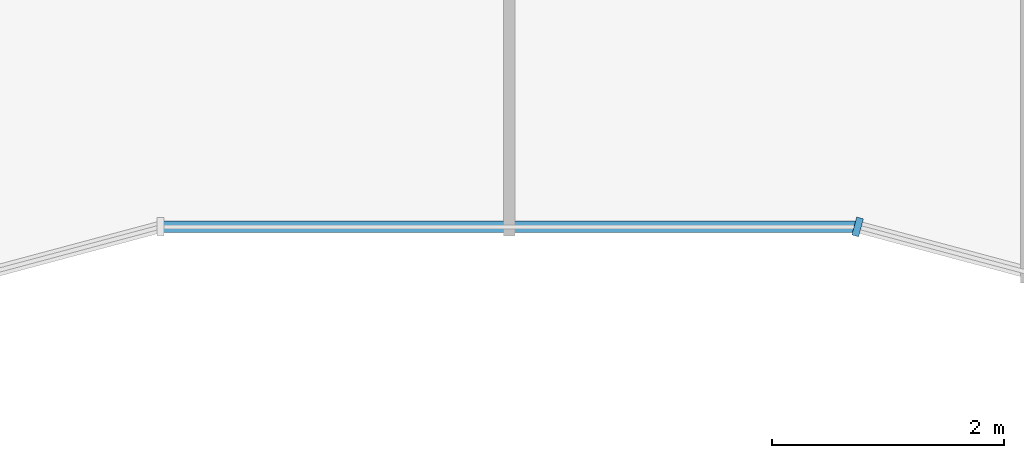
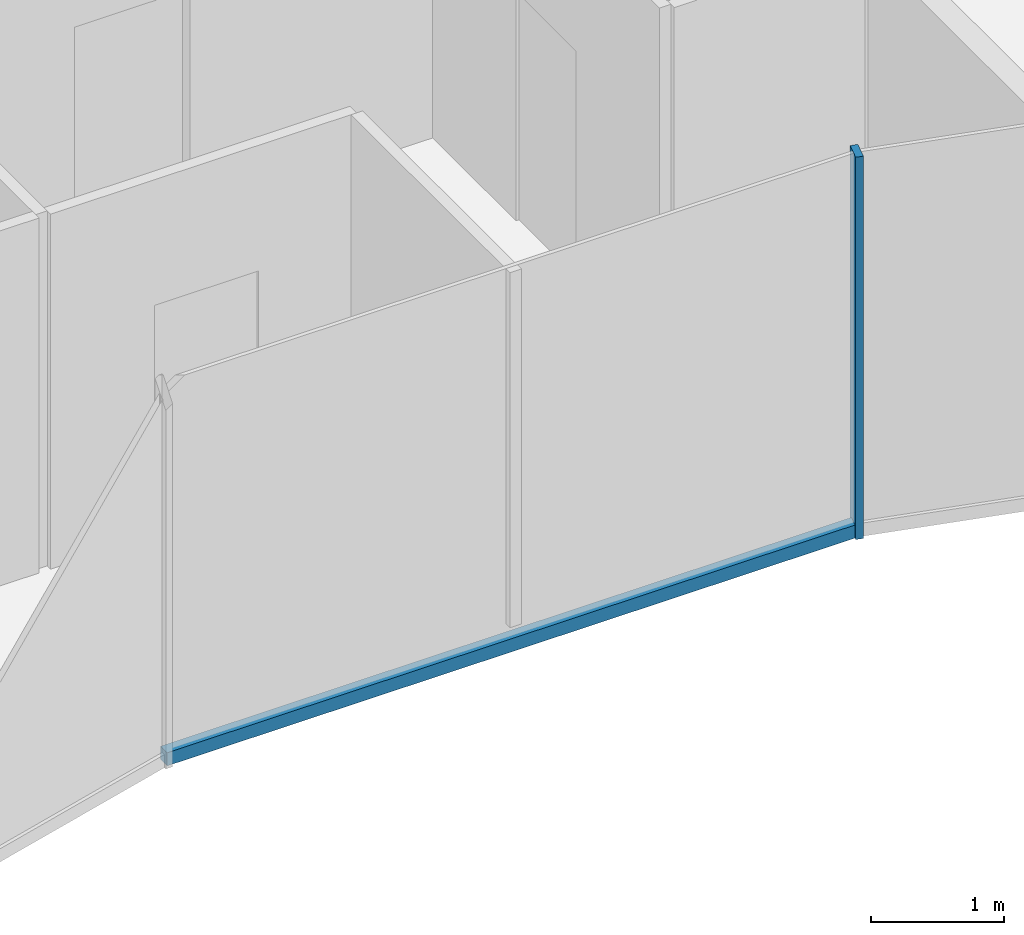
# One storey, part 3 of 15: 2 members, 2 elements without a shape of their own.
"""IFC4 building model written with IfcOpenShell, lengths in metres."""

import ifcopenshell
import ifcopenshell.guid

model = None  # the IFC model being written
_history = None  # IfcOwnerHistory: only IFC2X3 demands one
_inside = {}  # id of a spatial element -> (the spatial element, [elements in it])
_under = {}  # id of a project, library or spatial element -> (it, [spatial elements below it])
_declared = {}  # id of a project -> (the project, [libraries it declares])
_typed = {}  # id of a type object -> (the type object, [elements of that type])
_made_of = {}  # id of a material, layer set ... -> (it, [elements and type objects made of it])


def new_model(schema):
    """Start an empty IFC model of exactly this schema.

    Asked for "IFC4X3", IfcOpenShell would pick the latest addendum, in which some entities
    have other attributes; the version numbers below select the first issue.
    IFC2X3 requires an IfcOwnerHistory on every rooted entity: one is made here for all.
    """
    global model, _history
    if schema == "IFC4X3":
        model = ifcopenshell.file(schema_version=(4, 3, 0, 0))
    else:
        model = ifcopenshell.file(schema=schema)
    _inside.clear()
    _under.clear()
    _declared.clear()
    _typed.clear()
    _made_of.clear()
    _history = None
    if model.schema == "IFC2X3":
        org = make("IfcOrganization", Name="unknown")
        user = make(
            "IfcPersonAndOrganization",
            ThePerson=make("IfcPerson", FamilyName="unknown"),
            TheOrganization=org,
        )
        app = make(
            "IfcApplication",
            ApplicationDeveloper=org,
            Version="unknown",
            ApplicationFullName="unknown",
            ApplicationIdentifier="unknown",
        )
        _history = make(
            "IfcOwnerHistory",
            OwningUser=user,
            OwningApplication=app,
            ChangeAction="ADDED",
            CreationDate=0,
        )
    return model


def make(cls, **values):
    """One entity of the class cls with the attributes given. An attribute that is None is left unset."""
    return model.create_entity(
        cls, **{name: value for name, value in values.items() if value is not None}
    )


def rooted(cls, **values):
    """An entity with a GlobalId (a new one), such as an element, a storey or a relation."""
    return make(cls, GlobalId=ifcopenshell.guid.new(), OwnerHistory=_history, **values)


def si_unit(unit_type, name, prefix=None):
    """IfcSIUnit, for example si_unit("LENGTHUNIT", "METRE", prefix="MILLI")."""
    return make("IfcSIUnit", UnitType=unit_type, Prefix=prefix, Name=name)


def assignment(units):
    """IfcUnitAssignment: the units of a project."""
    return None if units is None else make("IfcUnitAssignment", Units=units)


def point(xyz):
    """IfcCartesianPoint."""
    return None if xyz is None else make("IfcCartesianPoint", Coordinates=xyz)


def direction(xyz):
    """IfcDirection."""
    return None if xyz is None else make("IfcDirection", DirectionRatios=xyz)


def frame(location, z_axis=None, x_axis=None):
    """IfcAxis2Placement3D, a coordinate frame: its origin and axes. An axis left out is left unset."""
    return make(
        "IfcAxis2Placement3D",
        Location=point(location),
        Axis=direction(z_axis),
        RefDirection=direction(x_axis),
    )


def frame_2d(location, x_axis=None):
    """IfcAxis2Placement2D, a coordinate frame in the plane: its origin and x axis."""
    return make(
        "IfcAxis2Placement2D", Location=point(location), RefDirection=direction(x_axis)
    )


def origin():
    """The frame at (0, 0, 0) with its axes left unset."""
    return frame((0.0, 0.0, 0.0))


def origin_2d():
    """The frame at (0, 0) in the plane with its x axis left unset."""
    return frame_2d((0.0, 0.0))


def place(relative_to, where):
    """IfcLocalPlacement: puts the frame where relative to a parent placement (None: the world)."""
    return make(
        "IfcLocalPlacement", PlacementRelTo=relative_to, RelativePlacement=where
    )


def context(
    kind, dimensions, precision=None, world=None, true_north=None, identifier=None
):
    """IfcGeometricRepresentationContext, for example the 3D "Model" context."""
    return make(
        "IfcGeometricRepresentationContext",
        ContextIdentifier=identifier,
        ContextType=kind,
        CoordinateSpaceDimension=dimensions,
        Precision=precision,
        WorldCoordinateSystem=world,
        TrueNorth=true_north,
    )


def subcontext(parent, identifier, kind, view, scale=None):
    """IfcGeometricRepresentationSubContext, for example "Body" below "Model"."""
    return make(
        "IfcGeometricRepresentationSubContext",
        ContextIdentifier=identifier,
        ContextType=kind,
        ParentContext=parent,
        TargetScale=scale,
        TargetView=view,
    )


def project(units=None, contexts=None):
    """IfcProject with its units and contexts."""
    return rooted(
        "IfcProject",
        Name="project",
        RepresentationContexts=contexts,
        UnitsInContext=assignment(units),
    )


def spatial(cls, under=None, at=None, **own):
    """A site, building, storey or space (cls), placed at a placement, below another one or the project."""
    s = rooted(cls, ObjectPlacement=at, **own)
    if under is not None:
        _under.setdefault(under.id(), (under, []))[1].append(s)
    return s


def profile(cls, at=None, kind="AREA", **sizes):
    """A parametric profile (cls). Its sizes go by their IFC names, for example OverallWidth=200.0."""
    return make(cls, ProfileType=kind, Position=at, **sizes)


def rectangle(**sizes):
    """IfcRectangleProfileDef."""
    return profile("IfcRectangleProfileDef", **sizes)


def extrude(swept, where, along, depth):
    """IfcExtrudedAreaSolid: the profile swept, set in the frame where, extruded along a direction by depth."""
    return make(
        "IfcExtrudedAreaSolid",
        SweptArea=swept,
        Position=where,
        ExtrudedDirection=direction(along),
        Depth=depth,
    )


def shape(context_of_items, identifier, shape_type, items):
    """IfcShapeRepresentation: the items that make up one representation, for example the "Body"."""
    return make(
        "IfcShapeRepresentation",
        ContextOfItems=context_of_items,
        RepresentationIdentifier=identifier,
        RepresentationType=shape_type,
        Items=items,
    )


def material(Name=None, Category=None):
    """IfcMaterial."""
    return make("IfcMaterial", Name=Name, Category=Category)


def layer(
    of_material, thickness, ventilated=None, Name=None, Category=None, Priority=None
):
    """IfcMaterialLayer: one layer of a wall or slab, of a material (None: an air gap)."""
    return make(
        "IfcMaterialLayer",
        Material=of_material,
        LayerThickness=thickness,
        IsVentilated=ventilated,
        Name=Name,
        Category=Category,
        Priority=Priority,
    )


def layer_set(layers, Name=None):
    """IfcMaterialLayerSet."""
    return make("IfcMaterialLayerSet", MaterialLayers=layers, LayerSetName=Name)


def material_profile(
    of_material, cross_section, Name=None, Category=None, Priority=None
):
    """IfcMaterialProfile: a cross section and its material."""
    return make(
        "IfcMaterialProfile",
        Name=Name,
        Material=of_material,
        Profile=cross_section,
        Priority=Priority,
        Category=Category,
    )


def profile_set(profiles, Name=None, composite=None):
    """IfcMaterialProfileSet."""
    return make(
        "IfcMaterialProfileSet",
        Name=Name,
        MaterialProfiles=profiles,
        CompositeProfile=composite,
    )


def made_of(thing, what):
    """Note that an element or type object is made of a material, layer set ...; save() writes the relation."""
    if what is not None:
        _made_of.setdefault(what.id(), (what, []))[1].append(thing)
    return thing


def type_object(cls, material=None, **own):
    """A type object (cls), such as IfcWallType, which elements share."""
    return made_of(rooted(cls, **own), material)


def element(
    cls,
    number,
    at=None,
    inside=None,
    cuts=None,
    type_object=None,
    material=None,
    context=None,
    identifier="Body",
    shape_type=None,
    held_by="IfcProductDefinitionShape",
    body=None,
    shapes=None,
    **own,
):
    """One element of the class cls, such as IfcWall. Its Tag is "e" and its number.

    at: its placement. inside: the storey or other place that contains it. cuts: it is an
    opening in that element (IfcRelVoidsElement). A single representation is given by context,
    identifier, shape_type and body (its items); several are given by shapes. held_by: the class
    of the entity that holds the representations. save() writes the other relations.
    """
    e = rooted(cls, Tag="e%d" % number, ObjectPlacement=at, **own)
    if body is not None:
        shapes = [shape(context, identifier, shape_type, body)]
    if shapes is not None:
        e.Representation = make(held_by, Representations=shapes)
    if inside is not None:
        _inside.setdefault(inside.id(), (inside, []))[1].append(e)
    if cuts is not None:
        rooted(
            "IfcRelVoidsElement", RelatingBuildingElement=cuts, RelatedOpeningElement=e
        )
    if type_object is not None:
        _typed.setdefault(type_object.id(), (type_object, []))[1].append(e)
    return made_of(e, material)


def aggregate(whole, parts):
    """IfcRelAggregates: a whole, such as a stair, and the parts it consists of."""
    return rooted("IfcRelAggregates", RelatingObject=whole, RelatedObjects=parts)


def save(model, path):
    """Write the relations noted so far, then the file.

    IfcRelAggregates (storeys below a building ...), IfcRelContainedInSpatialStructure (elements
    in a storey), IfcRelDefinesByType, IfcRelAssociatesMaterial and IfcRelDeclares: one each for
    every whole, place, type object, material and project.
    """
    for whole, parts in _under.values():
        aggregate(whole, parts)
    for where, things in _inside.values():
        rooted(
            "IfcRelContainedInSpatialStructure",
            RelatedElements=things,
            RelatingStructure=where,
        )
    for kind, things in _typed.values():
        rooted("IfcRelDefinesByType", RelatedObjects=things, RelatingType=kind)
    for what, things in _made_of.values():
        rooted("IfcRelAssociatesMaterial", RelatedObjects=things, RelatingMaterial=what)
    for by, libraries in _declared.values():
        rooted("IfcRelDeclares", RelatingContext=by, RelatedDefinitions=libraries)
    model.write(path)


model = new_model("IFC4")

# Units and contexts
model_context = context("Model", 3, precision=1e-05, world=origin(), true_north=direction((0.0, 1.0)))
body_context = subcontext(model_context, "Body", "Model", "MODEL_VIEW")
ifc_project = project(units=[si_unit("LENGTHUNIT", "METRE"), si_unit("AREAUNIT", "SQUARE_METRE"), si_unit("VOLUMEUNIT", "CUBIC_METRE"), si_unit("PLANEANGLEUNIT", "RADIAN"), si_unit("MASSUNIT", "GRAM", prefix="KILO")], contexts=[model_context])

# Site, building, storey
site_placement = place(None, origin())
site = spatial("IfcSite", under=ifc_project, at=site_placement, CompositionType="ELEMENT")
building_placement = place(site_placement, origin())
building = spatial("IfcBuilding", under=site, at=building_placement, Name="Plateau Cross Towers", CompositionType="ELEMENT")
storey_placement = place(building_placement, frame((0.0, 0.0, 204.89990234375)))
storey = spatial("IfcBuildingStorey", under=building, at=storey_placement, Name="L53", CompositionType="ELEMENT", Elevation=204.89990234375)

# Curtain wall, member
ifc_material_1 = material(Name="Dark low-iron glass", Category="glass")
ifc_layer = layer(ifc_material_1, 0.260009765625)
ifc_layer_set = layer_set([ifc_layer], Name="Dark low-iron glass")
curtain_wall_type = type_object("IfcCurtainWallType", Name="Curtain wall fluted unitised CW-A", PredefinedType="NOTDEFINED", material=ifc_layer_set)
curtain_wall_1_placement = place(storey_placement, origin())
curtain_wall_1 = element("IfcCurtainWall", 1, at=curtain_wall_1_placement, inside=storey, type_object=curtain_wall_type, Name="ENV/A/L53/A300_16", PredefinedType="NOTDEFINED")
ifc_material_2 = material(Name="Black anodised aluminium", Category="aluminium")
ifc_material_profile_1 = material_profile(ifc_material_2, rectangle(XDim=0.06005859375, YDim=0.159912109375, at=origin_2d()), Name="MULLION 60x160")
ifc_profile_set_1 = profile_set([ifc_material_profile_1], Name="Black anodised aluminium")
member_type_1 = type_object("IfcMemberType", Name="Mullion 60x160 fluted unitised", PredefinedType="MULLION", material=ifc_profile_set_1)
member_1_placement = place(storey_placement, frame((30.0, 1.60693359375, -0.25), z_axis=(0.0, 0.0, 1.0), x_axis=(0.965957983404, -0.258699003279, 0.0)))
member_1 = element("IfcMember", 2, at=member_1_placement, type_object=member_type_1, Name="CW-A mullion 1", PredefinedType="MULLION", context=body_context, shape_type="SweptSolid", body=[
    extrude(rectangle(XDim=0.06005859375, YDim=0.159912109375, at=origin_2d()), origin(), (0.0, 0.0, 1.0), 3.5),
])
aggregate(curtain_wall_1, [member_1])

curtain_wall_2_placement = place(storey_placement, origin())
curtain_wall_2 = element("IfcCurtainWall", 3, at=curtain_wall_2_placement, inside=storey, type_object=curtain_wall_type, Name="ENV/A/L53/A240_16", PredefinedType="NOTDEFINED")
ifc_material_profile_2 = material_profile(ifc_material_2, rectangle(XDim=0.10009765625, YDim=0.1201171875, at=origin_2d()), Name="TRANSOM 100x120")
ifc_profile_set_2 = profile_set([ifc_material_profile_2], Name="Black anodised aluminium")
member_type_2 = type_object("IfcMemberType", Name="Transom 100x120 fluted unitised", PredefinedType="USERDEFINED", material=ifc_profile_set_2)
member_2_placement = place(storey_placement, frame((24.0, 1.60693359375, -0.18994140625), z_axis=(1.0, 0.0, 0.0), x_axis=(0.0, 1.0, 0.0)))
member_2 = element("IfcMember", 4, at=member_2_placement, type_object=member_type_2, Name="CW-A transom", ObjectType="TRANSOM", PredefinedType="USERDEFINED", context=body_context, shape_type="SweptSolid", body=[
    extrude(rectangle(XDim=0.10009765625, YDim=0.1201171875, at=origin_2d()), origin(), (0.0, 0.0, 1.0), 6.0),
])
aggregate(curtain_wall_2, [member_2])

save(model, "model.ifc")
